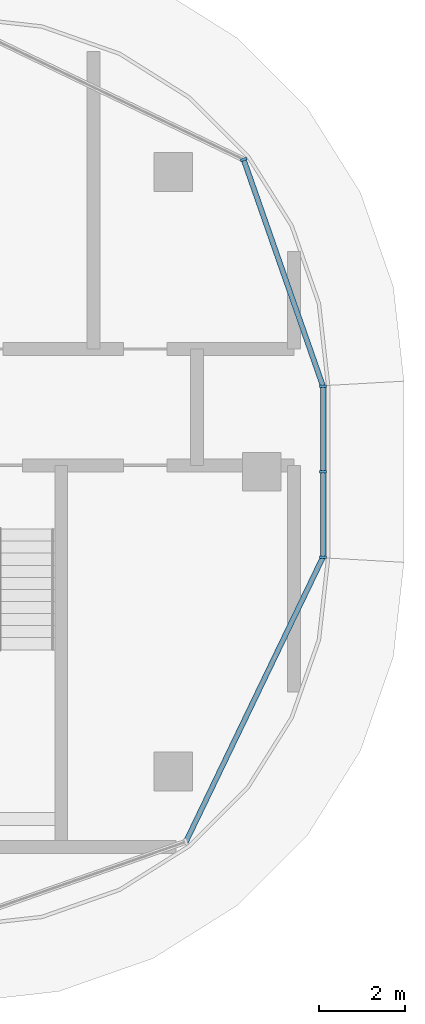
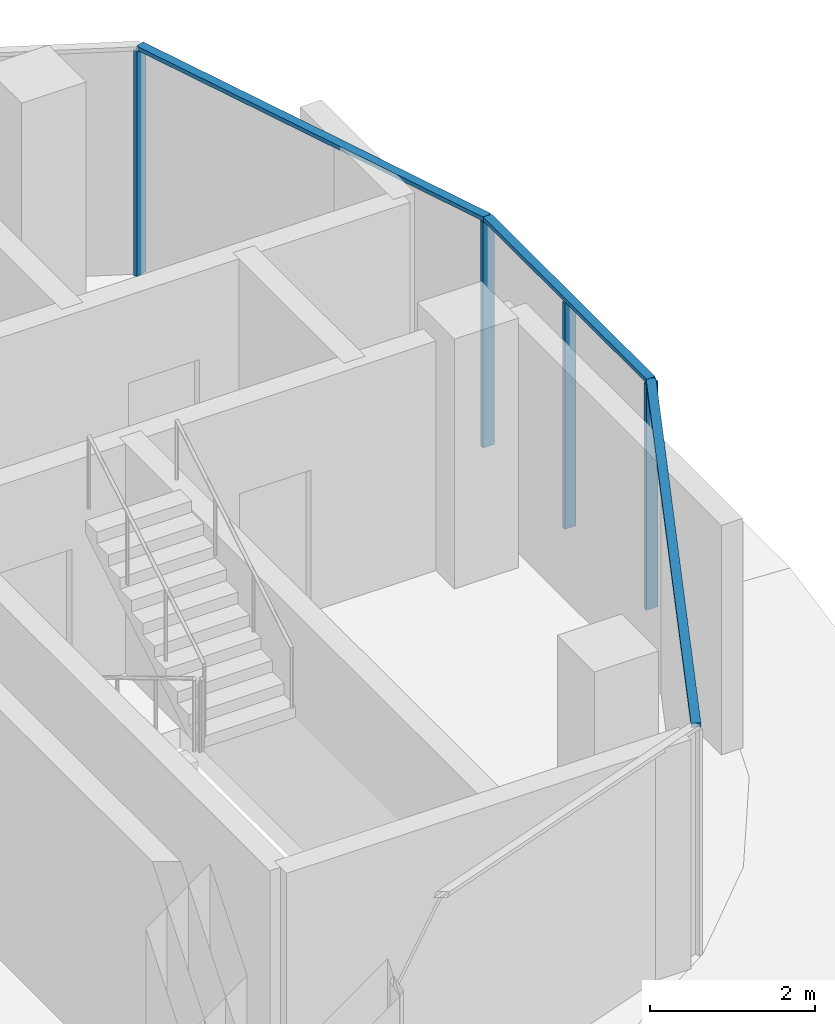
# One storey, part 7 of 21: 7 members, 3 elements without a shape of their own.
"""IFC4 building model written with IfcOpenShell, lengths in metres."""

from ifc_helpers import new_model, si_unit, direction, frame, origin, origin_2d, place, context, subcontext, project, spatial, rectangle, extrude, material, material_profile, profile_set, type_object, element, aggregate, save


model = new_model("IFC4")

# Units and contexts
model_context = context("Model", 3, precision=1e-05, world=origin(), true_north=direction((0.0, 1.0)))
body_context = subcontext(model_context, "Body", "Model", "MODEL_VIEW")
ifc_project = project(units=[si_unit("LENGTHUNIT", "METRE"), si_unit("AREAUNIT", "SQUARE_METRE"), si_unit("VOLUMEUNIT", "CUBIC_METRE"), si_unit("PLANEANGLEUNIT", "RADIAN"), si_unit("MASSUNIT", "GRAM", prefix="KILO")], contexts=[model_context])

# Site, building, storey
site_placement = place(None, origin())
site = spatial("IfcSite", under=ifc_project, at=site_placement, CompositionType="ELEMENT")
building_placement = place(site_placement, origin())
building = spatial("IfcBuilding", under=site, at=building_placement, Name="Ogive Portal Towers", CompositionType="ELEMENT")
storey_placement = place(building_placement, frame((0.0, 0.0, 225.39990234375)))
storey = spatial("IfcBuildingStorey", under=building, at=storey_placement, Name="L56", CompositionType="ELEMENT", Elevation=225.39990234375)

# Curtain wall, members
ifc_material_1 = material(Name="Glass, clear low-iron insulated glazing", Category="glass")
curtain_wall_type = type_object("IfcCurtainWallType", Name="CW FRONT RIBBON 4500", PredefinedType="NOTDEFINED", material=ifc_material_1)
curtain_wall_1_placement = place(storey_placement, origin())
curtain_wall_1 = element("IfcCurtainWall", 1, at=curtain_wall_1_placement, inside=storey, type_object=curtain_wall_type, Name="A:L56:f09:cw0", PredefinedType="NOTDEFINED")
ifc_material_2 = material(Name="Aluminium 6063 anodised", Category="aluminium")
ifc_material_profile_1 = material_profile(ifc_material_2, rectangle(XDim=0.159912109375, YDim=0.06005859375, at=origin_2d()), Name="AL 60x160")
ifc_profile_set_1 = profile_set([ifc_material_profile_1], Name="Aluminium 6063 anodised")
member_type_1 = type_object("IfcMemberType", Name="CW MULLION 60x160", PredefinedType="MULLION", material=ifc_profile_set_1)
member_1_placement = place(storey_placement, frame((95.919921875, 28.518310546875, 0.0), z_axis=(0.0, 0.0, 1.0), x_axis=(-1.0, 0.0, 0.0)))
member_1 = element("IfcMember", 2, at=member_1_placement, type_object=member_type_1, Name="mullion", PredefinedType="MULLION", context=body_context, shape_type="SweptSolid", body=[
    extrude(rectangle(XDim=0.159912109375, YDim=0.06005859375, at=origin_2d()), origin(), (0.0, 0.0, 1.0), 3.340087890625),
])
member_2_placement = place(storey_placement, frame((95.919921875, 30.5, 0.0), z_axis=(0.0, 0.0, 1.0), x_axis=(-1.0, 0.0, 0.0)))
member_2 = element("IfcMember", 3, at=member_2_placement, type_object=member_type_1, Name="mullion", PredefinedType="MULLION", context=body_context, shape_type="SweptSolid", body=[
    extrude(rectangle(XDim=0.159912109375, YDim=0.06005859375, at=origin_2d()), origin(), (0.0, 0.0, 1.0), 3.340087890625),
])
member_3_placement = place(storey_placement, frame((95.919921875, 32.486328125, 0.0), z_axis=(0.0, 0.0, 1.0), x_axis=(-1.0, 0.0, 0.0)))
member_3 = element("IfcMember", 4, at=member_3_placement, type_object=member_type_1, Name="mullion", PredefinedType="MULLION", context=body_context, shape_type="SweptSolid", body=[
    extrude(rectangle(XDim=0.159912109375, YDim=0.06005859375, at=origin_2d()), origin(), (0.0, 0.0, 1.0), 3.340087890625),
])

# Curtain wall, member
curtain_wall_2_placement = place(storey_placement, origin())
curtain_wall_2 = element("IfcCurtainWall", 5, at=curtain_wall_2_placement, inside=storey, type_object=curtain_wall_type, Name="A:L56:f10:cwa", PredefinedType="NOTDEFINED")
member_4_placement = place(storey_placement, frame((94.0810546875, 37.741943359375, 0.0), z_axis=(0.0, 0.0, 1.0), x_axis=(-0.943883330307, -0.33027906196, 0.0)))
member_4 = element("IfcMember", 6, at=member_4_placement, type_object=member_type_1, Name="mullion", PredefinedType="MULLION", context=body_context, shape_type="SweptSolid", body=[
    extrude(rectangle(XDim=0.159912109375, YDim=0.06005859375, at=origin_2d()), origin(), (0.0, 0.0, 1.0), 3.340087890625),
])

# Member
ifc_material_profile_2 = material_profile(ifc_material_2, rectangle(XDim=0.1201171875, YDim=0.06005859375, at=origin_2d()), Name="AL 120x60")
ifc_profile_set_2 = profile_set([ifc_material_profile_2], Name="Aluminium 6063 anodised")
member_type_2 = type_object("IfcMemberType", Name="CW TRANSOM 60x120", PredefinedType="USERDEFINED", material=ifc_profile_set_2)
member_5_placement = place(storey_placement, frame((95.919921875, 28.518310546875, 3.3701171875), z_axis=(0.0, 1.0, 0.0), x_axis=(-1.0, 0.0, 0.0)))
member_5 = element("IfcMember", 7, at=member_5_placement, type_object=member_type_2, Name="transom", ObjectType="TRANSOM", PredefinedType="USERDEFINED", context=body_context, shape_type="SweptSolid", body=[
    extrude(rectangle(XDim=0.1201171875, YDim=0.06005859375, at=origin_2d()), origin(), (0.0, 0.0, 1.0), 3.968017578125),
])

aggregate(curtain_wall_1, [member_5, member_1, member_2, member_3])

# Curtain wall, member
curtain_wall_3_placement = place(storey_placement, origin())
curtain_wall_3 = element("IfcCurtainWall", 8, at=curtain_wall_3_placement, inside=storey, type_object=curtain_wall_type, Name="A:L56:f07:cwa", PredefinedType="NOTDEFINED")
member_6_placement = place(storey_placement, frame((92.741943359375, 21.9189453125, 3.3701171875), z_axis=(0.433871738997, 0.900974646757, 0.0), x_axis=(-0.900974646757, 0.433871738997, 0.0)))
member_6 = element("IfcMember", 9, at=member_6_placement, type_object=member_type_2, Name="transom", ObjectType="TRANSOM", PredefinedType="USERDEFINED", context=body_context, shape_type="SweptSolid", body=[
    extrude(rectangle(XDim=0.1201171875, YDim=0.06005859375, at=origin_2d()), origin(), (0.0, 0.0, 1.0), 7.32470703125),
])
aggregate(curtain_wall_3, [member_6])

# Member
member_7_placement = place(storey_placement, frame((95.919921875, 32.486328125, 3.3701171875), z_axis=(-0.330254721593, 0.943891847017, 0.0), x_axis=(-0.943891847017, -0.330254721593, 0.0)))
member_7 = element("IfcMember", 10, at=member_7_placement, type_object=member_type_2, Name="transom", ObjectType="TRANSOM", PredefinedType="USERDEFINED", context=body_context, shape_type="SweptSolid", body=[
    extrude(rectangle(XDim=0.1201171875, YDim=0.06005859375, at=origin_2d()), origin(), (0.0, 0.0, 1.0), 5.568115234375),
])

aggregate(curtain_wall_2, [member_7, member_4])

save(model, "model.ifc")
